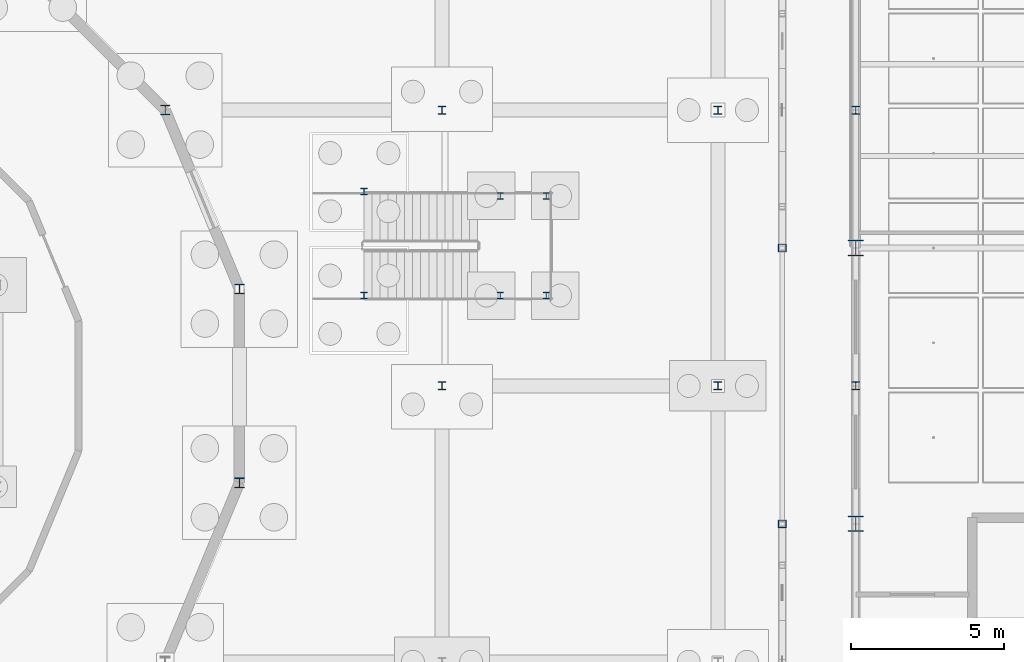
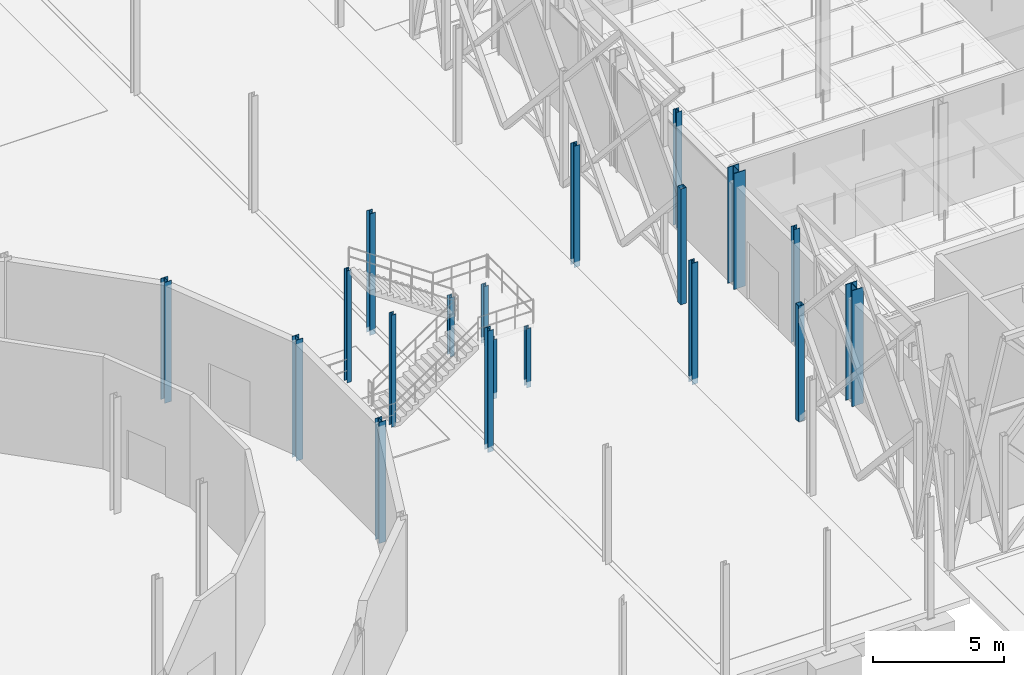
# One storey, part 6 of 180: 19 columns.
"""IFC4 building model written with IfcOpenShell, lengths in metres."""

from ifc_helpers import new_model, si_unit, direction, frame, origin, origin_2d, place, context, subcontext, project, spatial, hollow_rectangle, i_section, extrude, material, material_profile, profile_set, type_object, element, save


model = new_model("IFC4")

# Units and contexts
model_context = context("Model", 3, precision=1e-05, world=origin(), true_north=direction((0.0, 1.0)))
body_context = subcontext(model_context, "Body", "Model", "MODEL_VIEW")
ifc_project = project(units=[si_unit("LENGTHUNIT", "METRE"), si_unit("AREAUNIT", "SQUARE_METRE"), si_unit("VOLUMEUNIT", "CUBIC_METRE"), si_unit("PLANEANGLEUNIT", "RADIAN"), si_unit("MASSUNIT", "GRAM", prefix="KILO"), si_unit("THERMODYNAMICTEMPERATUREUNIT", "KELVIN"), si_unit("POWERUNIT", "WATT")], contexts=[model_context])

# Site, building, storey
site_placement = place(None, origin())
site = spatial("IfcSite", under=ifc_project, at=site_placement, CompositionType="ELEMENT")
building_placement = place(site_placement, origin())
building = spatial("IfcBuilding", under=site, at=building_placement, Name="Tallowbark Science Centre", CompositionType="ELEMENT")
storey_placement = place(building_placement, origin())
storey = spatial("IfcBuildingStorey", under=building, at=storey_placement, Name="L00", CompositionType="ELEMENT", Elevation=0.0)

# Columns
ifc_material_1 = material(Name="White Architectural Painted Steel Grade C350L0 (350 MPa)", Category="steel")
ifc_material_profile_1 = material_profile(ifc_material_1, hollow_rectangle(XDim=0.25, YDim=0.25, WallThickness=0.009033203125, at=origin_2d()), Name="250x250x9.0SHS")
ifc_profile_set_1 = profile_set([ifc_material_profile_1], Name="White Architectural Painted Steel Grade C350L0 (350 MPa)")
column_type_1 = type_object("IfcColumnType", Name="COL-SCR200", PredefinedType="COLUMN", material=ifc_profile_set_1)
for number, where, z_axis, x_axis, name in (
    (1, (56.10009765625, 13.5, 0.0), (0.0, 0.0, 1.0), (1.0, 0.0, 0.0), "Column SCR-W02 L00"),
    (2, (56.10009765625, 22.5, 0.0), (0.0, 0.0, 1.0), (1.0, 0.0, 0.0), "Column SCR-W03 L00"),
):
    element("IfcColumn", number, at=place(storey_placement, frame(where, z_axis=z_axis, x_axis=x_axis)), inside=storey, type_object=column_type_1, Name=name, PredefinedType="COLUMN", context=body_context, shape_type="SweptSolid", body=[
        extrude(hollow_rectangle(XDim=0.25, YDim=0.25, WallThickness=0.009033203125, at=origin_2d()), origin(), (0.0, 0.0, 1.0), 5.39990234375),
    ])
ifc_material_2 = material(Name="Structural Steel Grade 300PLUS (300 MPa)", Category="steel")
ifc_material_profile_2 = material_profile(ifc_material_2, i_section(OverallWidth=0.205078125, OverallDepth=0.209716796875, WebThickness=0.00927734375, FlangeThickness=0.01416015625, FilletRadius=0.011474609375, at=origin_2d()), Name="200UC59.5")
ifc_profile_set_2 = profile_set([ifc_material_profile_2], Name="Structural Steel Grade 300PLUS (300 MPa)")
column_type_2 = type_object("IfcColumnType", Name="COL-UC200", PredefinedType="COLUMN", material=ifc_profile_set_2)
for number, where, z_axis, x_axis, name in (
    (3, (42.449951171875, 20.949951171875, 0.0), (0.0, 0.0, 1.0), (1.0, 0.0, 0.0), "Exterior Stair Arrival Column S"),
    (4, (42.449951171875, 24.35009765625, 0.0), (0.0, 0.0, 1.0), (1.0, 0.0, 0.0), "Exterior Stair Arrival Column N"),
):
    element("IfcColumn", number, at=place(storey_placement, frame(where, z_axis=z_axis, x_axis=x_axis)), inside=storey, type_object=column_type_2, Name=name, PredefinedType="COLUMN", context=body_context, shape_type="SweptSolid", body=[
        extrude(i_section(OverallWidth=0.205078125, OverallDepth=0.209716796875, WebThickness=0.00927734375, FlangeThickness=0.01416015625, FilletRadius=0.011474609375, at=origin_2d()), origin(), (0.0, 0.0, 1.0), 5.219970703125),
    ])
for number, where, z_axis, x_axis, name in (
    (5, (46.89990234375, 20.949951171875, -0.260009765625), (0.0, 0.0, 1.0), (1.0, 0.0, 0.0), "Exterior Stair Half-Landing Column WS"),
    (6, (46.89990234375, 24.199951171875, -0.260009765625), (0.0, 0.0, 1.0), (1.0, 0.0, 0.0), "Exterior Stair Half-Landing Column WN"),
    (7, (48.39990234375, 20.949951171875, -0.260009765625), (0.0, 0.0, 1.0), (1.0, 0.0, 0.0), "Exterior Stair Half-Landing Column ES"),
    (8, (48.39990234375, 24.199951171875, -0.260009765625), (0.0, 0.0, 1.0), (1.0, 0.0, 0.0), "Exterior Stair Half-Landing Column EN"),
):
    element("IfcColumn", number, at=place(storey_placement, frame(where, z_axis=z_axis, x_axis=x_axis)), inside=storey, type_object=column_type_2, Name=name, PredefinedType="COLUMN", context=body_context, shape_type="SweptSolid", body=[
        extrude(i_section(OverallWidth=0.205078125, OverallDepth=0.209716796875, WebThickness=0.00927734375, FlangeThickness=0.01416015625, FilletRadius=0.011474609375, at=origin_2d()), origin(), (0.0, 0.0, 1.0), 2.760009765625),
    ])
ifc_material_profile_3 = material_profile(ifc_material_2, i_section(OverallWidth=0.256103515625, OverallDepth=0.260009765625, WebThickness=0.010498046875, FlangeThickness=0.017333984375, FilletRadius=0.013916015625, at=origin_2d()), Name="250UC89.5")
ifc_profile_set_3 = profile_set([ifc_material_profile_3], Name="Structural Steel Grade 300PLUS (300 MPa)")
column_type_3 = type_object("IfcColumnType", Name="COL-UC250A", PredefinedType="COLUMN", material=ifc_profile_set_3)
for number, where, z_axis, x_axis, name in (
    (9, (45.0, 18.0, -0.260009765625), (0.0, 0.0, 1.0), (1.0, 0.0, 0.0), "Column PAS-W02 L00"),
    (10, (54.0, 18.0, -0.260009765625), (0.0, 0.0, 1.0), (1.0, 0.0, 0.0), "Column PAS-E02 L00"),
    (11, (45.0, 27.0, -0.260009765625), (0.0, 0.0, 1.0), (1.0, 0.0, 0.0), "Column PAS-W03 L00"),
    (12, (54.0, 27.0, -0.260009765625), (0.0, 0.0, 1.0), (1.0, 0.0, 0.0), "Column PAS-E03 L00"),
):
    element("IfcColumn", number, at=place(storey_placement, frame(where, z_axis=z_axis, x_axis=x_axis)), inside=storey, type_object=column_type_3, Name=name, PredefinedType="COLUMN", context=body_context, shape_type="SweptSolid", body=[
        extrude(i_section(OverallWidth=0.256103515625, OverallDepth=0.260009765625, WebThickness=0.010498046875, FlangeThickness=0.017333984375, FilletRadius=0.013916015625, at=origin_2d()), origin(), (0.0, 0.0, 1.0), 5.659912109375),
    ])
ifc_material_profile_4 = material_profile(ifc_material_2, i_section(OverallWidth=0.5, OverallDepth=0.513916015625, WebThickness=0.02197265625, FlangeThickness=0.031982421875, FilletRadius=0.01611328125, at=origin_2d()), Name="500WC340")
ifc_profile_set_4 = profile_set([ifc_material_profile_4], Name="Structural Steel Grade 300PLUS (300 MPa)")
column_type_4 = type_object("IfcColumnType", Name="COL-WC500", PredefinedType="COLUMN", material=ifc_profile_set_4)
for number, where, z_axis, x_axis, name in (
    (13, (58.5, 13.5, 0.0), (0.0, 0.0, 1.0), (1.0, 0.0, 0.0), "Column CUB-M0_1 L00"),
    (14, (58.5, 22.5, 0.0), (0.0, 0.0, 1.0), (1.0, 0.0, 0.0), "Column CUB-M0_2 L00"),
):
    element("IfcColumn", number, at=place(storey_placement, frame(where, z_axis=z_axis, x_axis=x_axis)), inside=storey, type_object=column_type_4, Name=name, PredefinedType="COLUMN", context=body_context, shape_type="SweptSolid", body=[
        extrude(i_section(OverallWidth=0.5, OverallDepth=0.513916015625, WebThickness=0.02197265625, FlangeThickness=0.031982421875, FilletRadius=0.01611328125, at=origin_2d()), origin(), (0.0, 0.0, 1.0), 5.39990234375),
    ])
ifc_material_profile_5 = material_profile(ifc_material_2, i_section(OverallWidth=0.256103515625, OverallDepth=0.260009765625, WebThickness=0.010498046875, FlangeThickness=0.017333984375, FilletRadius=0.013916015625, at=origin_2d()), Name="250UC89.5")
ifc_profile_set_5 = profile_set([ifc_material_profile_5], Name="Structural Steel Grade 300PLUS (300 MPa)")
column_type_5 = type_object("IfcColumnType", Name="PIL-UC250", PredefinedType="PILASTER", material=ifc_profile_set_5)
for number, where, z_axis, x_axis, name in (
    (15, (58.5, 18.0, 0.0), (0.0, 0.0, 1.0), (1.0, 0.0, 0.0), "Column CUB-PW-1 L00"),
    (16, (58.5, 27.0, 0.0), (0.0, 0.0, 1.0), (1.0, 0.0, 0.0), "Column CUB-PW-2 L00"),
):
    element("IfcColumn", number, at=place(storey_placement, frame(where, z_axis=z_axis, x_axis=x_axis)), inside=storey, type_object=column_type_5, Name=name, PredefinedType="PILASTER", context=body_context, shape_type="SweptSolid", body=[
        extrude(i_section(OverallWidth=0.256103515625, OverallDepth=0.260009765625, WebThickness=0.010498046875, FlangeThickness=0.017333984375, FilletRadius=0.013916015625, at=origin_2d()), origin(), (0.0, 0.0, 1.0), 5.39990234375),
    ])
ifc_material_profile_6 = material_profile(ifc_material_2, i_section(OverallWidth=0.307373046875, OverallDepth=0.314697265625, WebThickness=0.011962890625, FlangeThickness=0.018798828125, FilletRadius=0.0166015625, at=origin_2d()), Name="310UC118")
ifc_profile_set_6 = profile_set([ifc_material_profile_6], Name="Structural Steel Grade 300PLUS (300 MPa)")
column_type_6 = type_object("IfcColumnType", Name="PIL-UC310", PredefinedType="PILASTER", material=ifc_profile_set_6)
for number, where, z_axis, x_axis, name in (
    (17, (38.388671875, 21.160400390625, -0.239990234375), (0.0, 0.0, 1.0), (1.0, 0.0, 0.0), "Column DRM-P01 L00"),
    (18, (35.9697265625, 27.000244140625, -0.239990234375), (0.0, 0.0, 1.0), (1.0, 0.0, 0.0), "Column DRM-P02 L00"),
    (19, (38.388671875, 14.839599609375, -0.239990234375), (0.0, 0.0, 1.0), (1.0, 0.0, 0.0), "Column DRM-P16 L00"),
):
    element("IfcColumn", number, at=place(storey_placement, frame(where, z_axis=z_axis, x_axis=x_axis)), inside=storey, type_object=column_type_6, Name=name, PredefinedType="PILASTER", context=body_context, shape_type="SweptSolid", body=[
        extrude(i_section(OverallWidth=0.307373046875, OverallDepth=0.314697265625, WebThickness=0.011962890625, FlangeThickness=0.018798828125, FilletRadius=0.0166015625, at=origin_2d()), origin(), (0.0, 0.0, 1.0), 5.639892578125),
    ])

save(model, "model.ifc")
